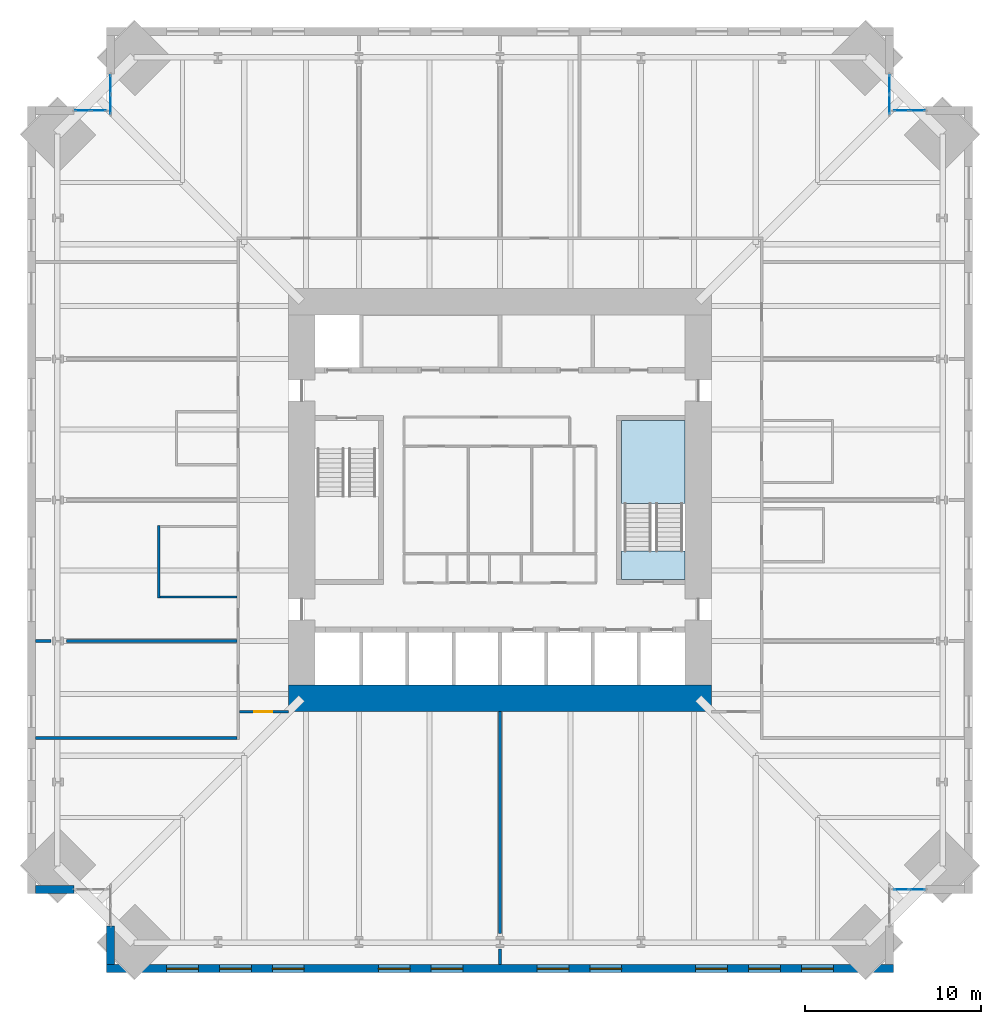
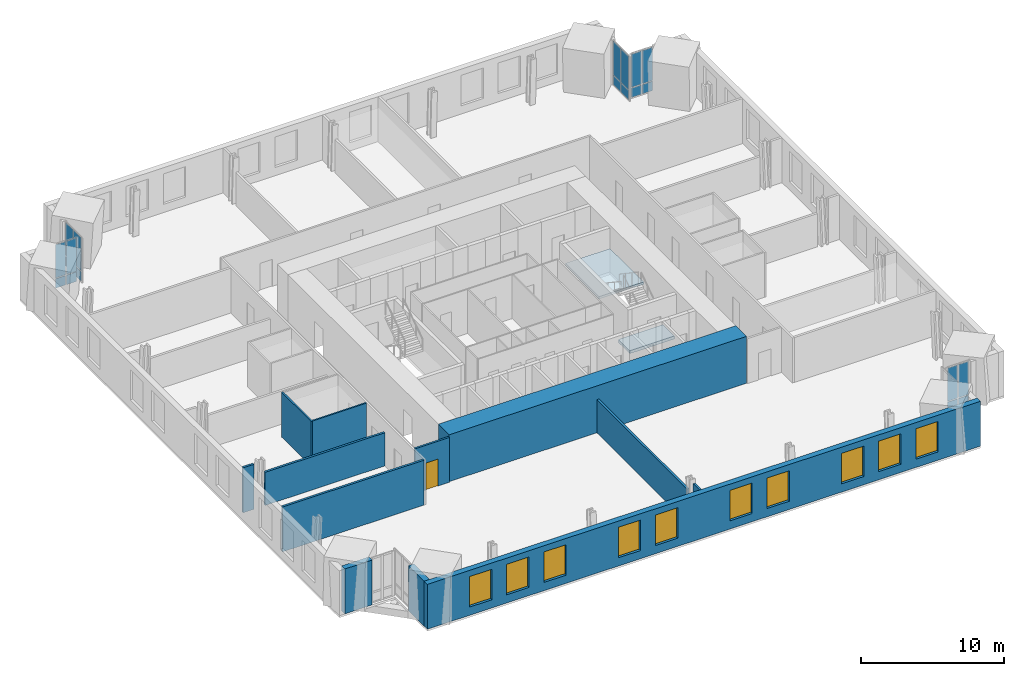
# One storey, part 11 of 17: 20 plates, 12 walls, 10 windows, 2 slabs, 1 door, 11 openings, 6 elements without a shape of their own.
"""IFC4 building model written with IfcOpenShell, lengths in metres."""

from ifc_helpers import new_model, si_unit, direction, frame, frame_2d, origin, origin_2d, place, context, subcontext, project, spatial, polyline, rectangle, outline, extrude, material, layer, layer_set, type_object, element, fill, aggregate, save


model = new_model("IFC4")

# Units and contexts
model_context = context("Model", 3, precision=1e-05, world=origin(), true_north=direction((0.0, 1.0)))
body_context = subcontext(model_context, "Body", "Model", "MODEL_VIEW")
ifc_project = project(units=[si_unit("LENGTHUNIT", "METRE"), si_unit("AREAUNIT", "SQUARE_METRE"), si_unit("VOLUMEUNIT", "CUBIC_METRE"), si_unit("PLANEANGLEUNIT", "RADIAN"), si_unit("MASSUNIT", "GRAM", prefix="KILO")], contexts=[model_context])

# Site, building, storey
site_placement = place(None, origin())
site = spatial("IfcSite", under=ifc_project, at=site_placement, CompositionType="ELEMENT")
building_placement = place(site_placement, origin())
building = spatial("IfcBuilding", under=site, at=building_placement, Name="Peilmerk Tower", CompositionType="ELEMENT")
storey_placement = place(building_placement, frame((0.0, 0.0, 143.800048828125)))
storey = spatial("IfcBuildingStorey", under=building, at=storey_placement, Name="L29", CompositionType="ELEMENT", Elevation=143.800048828125)

# Curtain wall, plates
ifc_material_1 = material(Name="Aluminium stick curtain wall", Category="aluminium")
curtain_wall_type = type_object("IfcCurtainWallType", Name="CW3 stick curtain wall, 2250 module", PredefinedType="NOTDEFINED", material=ifc_material_1)
curtain_wall_1_placement = place(storey_placement, origin())
curtain_wall_1 = element("IfcCurtainWall", 1, at=curtain_wall_1_placement, inside=storey, type_object=curtain_wall_type, Name="Curtain wall CW3 NEA L29", PredefinedType="NOTDEFINED")
ifc_material_2 = material(Name="Clear insulated glazing unit", Category="glass")
ifc_layer_1 = layer(ifc_material_2, 0.028076171875)
ifc_layer_set_1 = layer_set([ifc_layer_1], Name="Clear insulated glazing unit")
plate_type = type_object("IfcPlateType", Name="CW3-P 28 glazed panel", PredefinedType="CURTAIN_PANEL", material=ifc_layer_set_1)
plate_1_placement = place(storey_placement, frame((22.074951171875, 22.4384765625, 0.06494140625), z_axis=(0.0, 0.0, 1.0), x_axis=(0.0, 1.0, 0.0)))
plate_1 = element("IfcPlate", 2, at=plate_1_placement, type_object=plate_type, Name="CW3 panel 1.1", PredefinedType="CURTAIN_PANEL", context=body_context, shape_type="SweptSolid", body=[
    extrude(rectangle(XDim=1.046875, YDim=0.028076171875, at=origin_2d()), origin(), (0.0, 0.0, 1.0), 0.802490234375),
])
plate_2_placement = place(storey_placement, frame((22.074951171875, 22.4384765625, 0.932373046875), z_axis=(0.0, 0.0, 1.0), x_axis=(0.0, 1.0, 0.0)))
plate_2 = element("IfcPlate", 3, at=plate_2_placement, type_object=plate_type, Name="CW3 panel 1.2", PredefinedType="CURTAIN_PANEL", context=body_context, shape_type="SweptSolid", body=[
    extrude(rectangle(XDim=1.046875, YDim=0.028076171875, at=origin_2d()), origin(), (0.0, 0.0, 1.0), 2.83251953125),
])
plate_3_placement = place(storey_placement, frame((22.074951171875, 23.55029296875, 0.06494140625), z_axis=(0.0, 0.0, 1.0), x_axis=(0.0, 1.0, 0.0)))
plate_3 = element("IfcPlate", 4, at=plate_3_placement, type_object=plate_type, Name="CW3 panel 2.1", PredefinedType="CURTAIN_PANEL", context=body_context, shape_type="SweptSolid", body=[
    extrude(rectangle(XDim=1.046875, YDim=0.028076171875, at=origin_2d()), origin(), (0.0, 0.0, 1.0), 0.802490234375),
])
plate_4_placement = place(storey_placement, frame((22.074951171875, 23.55029296875, 0.932373046875), z_axis=(0.0, 0.0, 1.0), x_axis=(0.0, 1.0, 0.0)))
plate_4 = element("IfcPlate", 5, at=plate_4_placement, type_object=plate_type, Name="CW3 panel 2.2", PredefinedType="CURTAIN_PANEL", context=body_context, shape_type="SweptSolid", body=[
    extrude(rectangle(XDim=1.046875, YDim=0.028076171875, at=origin_2d()), origin(), (0.0, 0.0, 1.0), 2.83251953125),
])
aggregate(curtain_wall_1, [plate_1, plate_2, plate_3, plate_4])

curtain_wall_2_placement = place(storey_placement, origin())
curtain_wall_2 = element("IfcCurtainWall", 6, at=curtain_wall_2_placement, inside=storey, type_object=curtain_wall_type, Name="Curtain wall CW3 NEB L29", PredefinedType="NOTDEFINED")
plate_5_placement = place(storey_placement, frame((22.77587890625, 22.074951171875, 0.06494140625), z_axis=(0.0, 0.0, 1.0), x_axis=(1.0, 0.0, 0.0)))
plate_5 = element("IfcPlate", 7, at=plate_5_placement, type_object=plate_type, Name="CW3 panel 1.1", PredefinedType="CURTAIN_PANEL", context=body_context, shape_type="SweptSolid", body=[
    extrude(rectangle(XDim=0.82177734375, YDim=0.028076171875, at=origin_2d()), origin(), (0.0, 0.0, 1.0), 0.802490234375),
])
plate_6_placement = place(storey_placement, frame((22.77587890625, 22.074951171875, 0.932373046875), z_axis=(0.0, 0.0, 1.0), x_axis=(1.0, 0.0, 0.0)))
plate_6 = element("IfcPlate", 8, at=plate_6_placement, type_object=plate_type, Name="CW3 panel 1.2", PredefinedType="CURTAIN_PANEL", context=body_context, shape_type="SweptSolid", body=[
    extrude(rectangle(XDim=0.82177734375, YDim=0.028076171875, at=origin_2d()), origin(), (0.0, 0.0, 1.0), 2.83251953125),
])
plate_7_placement = place(storey_placement, frame((23.662841796875, 22.074951171875, 0.06494140625), z_axis=(0.0, 0.0, 1.0), x_axis=(1.0, 0.0, 0.0)))
plate_7 = element("IfcPlate", 9, at=plate_7_placement, type_object=plate_type, Name="CW3 panel 2.1", PredefinedType="CURTAIN_PANEL", context=body_context, shape_type="SweptSolid", body=[
    extrude(rectangle(XDim=0.82177734375, YDim=0.028076171875, at=origin_2d()), origin(), (0.0, 0.0, 1.0), 0.802490234375),
])
plate_8_placement = place(storey_placement, frame((23.662841796875, 22.074951171875, 0.932373046875), z_axis=(0.0, 0.0, 1.0), x_axis=(1.0, 0.0, 0.0)))
plate_8 = element("IfcPlate", 10, at=plate_8_placement, type_object=plate_type, Name="CW3 panel 2.2", PredefinedType="CURTAIN_PANEL", context=body_context, shape_type="SweptSolid", body=[
    extrude(rectangle(XDim=0.82177734375, YDim=0.028076171875, at=origin_2d()), origin(), (0.0, 0.0, 1.0), 2.83251953125),
])
aggregate(curtain_wall_2, [plate_5, plate_6, plate_7, plate_8])

curtain_wall_3_placement = place(storey_placement, origin())
curtain_wall_3 = element("IfcCurtainWall", 11, at=curtain_wall_3_placement, inside=storey, type_object=curtain_wall_type, Name="Curtain wall CW3 SEB L29", PredefinedType="NOTDEFINED")
plate_9_placement = place(storey_placement, frame((22.77587890625, -22.074951171875, 0.06494140625), z_axis=(0.0, 0.0, 1.0), x_axis=(1.0, 0.0, 0.0)))
plate_9 = element("IfcPlate", 12, at=plate_9_placement, type_object=plate_type, Name="CW3 panel 1.1", PredefinedType="CURTAIN_PANEL", context=body_context, shape_type="SweptSolid", body=[
    extrude(rectangle(XDim=0.82177734375, YDim=0.028076171875, at=origin_2d()), origin(), (0.0, 0.0, 1.0), 0.802490234375),
])
plate_10_placement = place(storey_placement, frame((22.77587890625, -22.074951171875, 0.932373046875), z_axis=(0.0, 0.0, 1.0), x_axis=(1.0, 0.0, 0.0)))
plate_10 = element("IfcPlate", 13, at=plate_10_placement, type_object=plate_type, Name="CW3 panel 1.2", PredefinedType="CURTAIN_PANEL", context=body_context, shape_type="SweptSolid", body=[
    extrude(rectangle(XDim=0.82177734375, YDim=0.028076171875, at=origin_2d()), origin(), (0.0, 0.0, 1.0), 2.83251953125),
])
plate_11_placement = place(storey_placement, frame((23.662841796875, -22.074951171875, 0.06494140625), z_axis=(0.0, 0.0, 1.0), x_axis=(1.0, 0.0, 0.0)))
plate_11 = element("IfcPlate", 14, at=plate_11_placement, type_object=plate_type, Name="CW3 panel 2.1", PredefinedType="CURTAIN_PANEL", context=body_context, shape_type="SweptSolid", body=[
    extrude(rectangle(XDim=0.82177734375, YDim=0.028076171875, at=origin_2d()), origin(), (0.0, 0.0, 1.0), 0.802490234375),
])
plate_12_placement = place(storey_placement, frame((23.662841796875, -22.074951171875, 0.932373046875), z_axis=(0.0, 0.0, 1.0), x_axis=(1.0, 0.0, 0.0)))
plate_12 = element("IfcPlate", 15, at=plate_12_placement, type_object=plate_type, Name="CW3 panel 2.2", PredefinedType="CURTAIN_PANEL", context=body_context, shape_type="SweptSolid", body=[
    extrude(rectangle(XDim=0.82177734375, YDim=0.028076171875, at=origin_2d()), origin(), (0.0, 0.0, 1.0), 2.83251953125),
])
aggregate(curtain_wall_3, [plate_9, plate_10, plate_11, plate_12])

curtain_wall_4_placement = place(storey_placement, origin())
curtain_wall_4 = element("IfcCurtainWall", 16, at=curtain_wall_4_placement, inside=storey, type_object=curtain_wall_type, Name="Curtain wall CW3 NWA L29", PredefinedType="NOTDEFINED")
plate_13_placement = place(storey_placement, frame((-22.074951171875, 22.4384765625, 0.06494140625), z_axis=(0.0, 0.0, 1.0), x_axis=(0.0, 1.0, 0.0)))
plate_13 = element("IfcPlate", 17, at=plate_13_placement, type_object=plate_type, Name="CW3 panel 1.1", PredefinedType="CURTAIN_PANEL", context=body_context, shape_type="SweptSolid", body=[
    extrude(rectangle(XDim=1.046875, YDim=0.028076171875, at=origin_2d()), origin(), (0.0, 0.0, 1.0), 0.802490234375),
])
plate_14_placement = place(storey_placement, frame((-22.074951171875, 22.4384765625, 0.932373046875), z_axis=(0.0, 0.0, 1.0), x_axis=(0.0, 1.0, 0.0)))
plate_14 = element("IfcPlate", 18, at=plate_14_placement, type_object=plate_type, Name="CW3 panel 1.2", PredefinedType="CURTAIN_PANEL", context=body_context, shape_type="SweptSolid", body=[
    extrude(rectangle(XDim=1.046875, YDim=0.028076171875, at=origin_2d()), origin(), (0.0, 0.0, 1.0), 2.83251953125),
])
plate_15_placement = place(storey_placement, frame((-22.074951171875, 23.55029296875, 0.06494140625), z_axis=(0.0, 0.0, 1.0), x_axis=(0.0, 1.0, 0.0)))
plate_15 = element("IfcPlate", 19, at=plate_15_placement, type_object=plate_type, Name="CW3 panel 2.1", PredefinedType="CURTAIN_PANEL", context=body_context, shape_type="SweptSolid", body=[
    extrude(rectangle(XDim=1.046875, YDim=0.028076171875, at=origin_2d()), origin(), (0.0, 0.0, 1.0), 0.802490234375),
])
plate_16_placement = place(storey_placement, frame((-22.074951171875, 23.55029296875, 0.932373046875), z_axis=(0.0, 0.0, 1.0), x_axis=(0.0, 1.0, 0.0)))
plate_16 = element("IfcPlate", 20, at=plate_16_placement, type_object=plate_type, Name="CW3 panel 2.2", PredefinedType="CURTAIN_PANEL", context=body_context, shape_type="SweptSolid", body=[
    extrude(rectangle(XDim=1.046875, YDim=0.028076171875, at=origin_2d()), origin(), (0.0, 0.0, 1.0), 2.83251953125),
])
aggregate(curtain_wall_4, [plate_13, plate_14, plate_15, plate_16])

curtain_wall_5_placement = place(storey_placement, origin())
curtain_wall_5 = element("IfcCurtainWall", 21, at=curtain_wall_5_placement, inside=storey, type_object=curtain_wall_type, Name="Curtain wall CW3 NWB L29", PredefinedType="NOTDEFINED")
plate_17_placement = place(storey_placement, frame((-22.77587890625, 22.074951171875, 0.06494140625), z_axis=(0.0, 0.0, 1.0), x_axis=(-1.0, 0.0, 0.0)))
plate_17 = element("IfcPlate", 22, at=plate_17_placement, type_object=plate_type, Name="CW3 panel 1.1", PredefinedType="CURTAIN_PANEL", context=body_context, shape_type="SweptSolid", body=[
    extrude(rectangle(XDim=0.82177734375, YDim=0.028076171875, at=origin_2d()), origin(), (0.0, 0.0, 1.0), 0.802490234375),
])
plate_18_placement = place(storey_placement, frame((-22.77587890625, 22.074951171875, 0.932373046875), z_axis=(0.0, 0.0, 1.0), x_axis=(-1.0, 0.0, 0.0)))
plate_18 = element("IfcPlate", 23, at=plate_18_placement, type_object=plate_type, Name="CW3 panel 1.2", PredefinedType="CURTAIN_PANEL", context=body_context, shape_type="SweptSolid", body=[
    extrude(rectangle(XDim=0.82177734375, YDim=0.028076171875, at=origin_2d()), origin(), (0.0, 0.0, 1.0), 2.83251953125),
])
plate_19_placement = place(storey_placement, frame((-23.662841796875, 22.074951171875, 0.06494140625), z_axis=(0.0, 0.0, 1.0), x_axis=(-1.0, 0.0, 0.0)))
plate_19 = element("IfcPlate", 24, at=plate_19_placement, type_object=plate_type, Name="CW3 panel 2.1", PredefinedType="CURTAIN_PANEL", context=body_context, shape_type="SweptSolid", body=[
    extrude(rectangle(XDim=0.82177734375, YDim=0.028076171875, at=origin_2d()), origin(), (0.0, 0.0, 1.0), 0.802490234375),
])
plate_20_placement = place(storey_placement, frame((-23.662841796875, 22.074951171875, 0.932373046875), z_axis=(0.0, 0.0, 1.0), x_axis=(-1.0, 0.0, 0.0)))
plate_20 = element("IfcPlate", 25, at=plate_20_placement, type_object=plate_type, Name="CW3 panel 2.2", PredefinedType="CURTAIN_PANEL", context=body_context, shape_type="SweptSolid", body=[
    extrude(rectangle(XDim=0.82177734375, YDim=0.028076171875, at=origin_2d()), origin(), (0.0, 0.0, 1.0), 2.83251953125),
])
aggregate(curtain_wall_5, [plate_17, plate_18, plate_19, plate_20])

# Stair, slabs
ifc_material_3 = material(Name="Precast concrete C45/55", Category="concrete")
stair_type = type_object("IfcStairType", Name="ST2 22 risers of 181.8", PredefinedType="HALF_TURN_STAIR", material=ifc_material_3)
stair_placement = place(storey_placement, origin())
stair = element("IfcStair", 26, at=stair_placement, inside=storey, type_object=stair_type, Name="Stair 2 L29 to L30", PredefinedType="HALF_TURN_STAIR")
ifc_material_4 = material(Name="Concrete C35/45", Category="concrete")
ifc_layer_2 = layer(ifc_material_4, 0.199951171875)
ifc_layer_set_2 = layer_set([ifc_layer_2], Name="Concrete C35/45")
slab_type_1 = type_object("IfcSlabType", Name="SL1 200 concrete stair landing", PredefinedType="LANDING", material=ifc_layer_set_2)
slab_1_placement = place(storey_placement, frame((0.0, 0.0, 1.800048828125)))
slab_1 = element("IfcSlab", 27, at=slab_1_placement, type_object=slab_type_1, Name="ST2 landing 1", PredefinedType="LANDING", context=body_context, shape_type="SweptSolid", body=[
    extrude(outline(polyline([(6.89990234375, -0.199951171875), (10.5, -0.199951171875), (10.5, 4.5), (6.89990234375, 4.5), (6.89990234375, -0.199951171875)])), origin(), (0.0, 0.0, 1.0), 0.199951171875),
])
ifc_layer_3 = layer(ifc_material_4, 0.25)
ifc_layer_set_3 = layer_set([ifc_layer_3], Name="Concrete C35/45")
slab_type_2 = type_object("IfcSlabType", Name="SL2 250 concrete floor landing", PredefinedType="LANDING", material=ifc_layer_set_3)
slab_2_placement = place(storey_placement, frame((0.0, 0.0, -0.25)))
slab_2 = element("IfcSlab", 28, at=slab_2_placement, type_object=slab_type_2, Name="ST2 floor landing", PredefinedType="LANDING", context=body_context, shape_type="SweptSolid", body=[
    extrude(outline(polyline([(6.89990234375, -4.5), (10.5, -4.5), (10.5, -2.89990234375), (6.89990234375, -2.89990234375), (6.89990234375, -4.5)])), origin(), (0.0, 0.0, 1.0), 0.25),
])
aggregate(stair, [slab_1, slab_2])

# Wall, openings, windows
ifc_material_5 = material(Name="Precast concrete C45/55, board-marked finish", Category="concrete")
ifc_layer_4 = layer(ifc_material_5, 0.449951171875)
ifc_layer_set_4 = layer_set([ifc_layer_4], Name="Precast concrete C45/55, board-marked finish")
wall_type_1 = type_object("IfcWallType", Name="EW1 450 precast concrete facade wall, board-marked", PredefinedType="SOLIDWALL", material=ifc_layer_set_4)
wall_1_placement = place(storey_placement, frame((-22.300048828125, -26.574951171875, 0.0), z_axis=(0.0, 0.0, 1.0), x_axis=(1.0, 0.0, 0.0)))
wall_1 = element("IfcWall", 29, at=wall_1_placement, inside=storey, type_object=wall_type_1, Name="Facade wall S L29", PredefinedType="SOLIDWALL", context=body_context, shape_type="SweptSolid", body=[
    extrude(rectangle(XDim=44.60009765625, YDim=0.449951171875, at=frame_2d((22.300048828125, 0.0))), origin(), (0.0, 0.0, 1.0), 3.829833984375),
])
opening_1_placement = place(wall_1_placement, frame((3.39990234375, 0.0, 0.699951171875)))
opening_1 = element("IfcOpeningElement", 30, at=opening_1_placement, cuts=wall_1, Name="Opening W1", PredefinedType="OPENING", context=body_context, shape_type="SweptSolid", body=[
    extrude(rectangle(XDim=1.800048828125, YDim=2.60009765625, at=frame_2d((0.89990234375, 1.300048828125))), frame((0.0, 0.23486328125, 0.0), z_axis=(0.0, -1.0, 0.0), x_axis=(1.0, 0.0, 0.0)), (0.0, 0.0, 1.0), 0.469970703125),
])
opening_2_placement = place(wall_1_placement, frame((6.39990234375, 0.0, 0.699951171875)))
opening_2 = element("IfcOpeningElement", 31, at=opening_2_placement, cuts=wall_1, Name="Opening W1", PredefinedType="OPENING", context=body_context, shape_type="SweptSolid", body=[
    extrude(rectangle(XDim=1.800048828125, YDim=2.60009765625, at=frame_2d((0.89990234375, 1.300048828125))), frame((0.0, 0.23486328125, 0.0), z_axis=(0.0, -1.0, 0.0), x_axis=(1.0, 0.0, 0.0)), (0.0, 0.0, 1.0), 0.469970703125),
])
opening_3_placement = place(wall_1_placement, frame((9.39990234375, 0.0, 0.699951171875)))
opening_3 = element("IfcOpeningElement", 32, at=opening_3_placement, cuts=wall_1, Name="Opening W1", PredefinedType="OPENING", context=body_context, shape_type="SweptSolid", body=[
    extrude(rectangle(XDim=1.800048828125, YDim=2.60009765625, at=frame_2d((0.89990234375, 1.300048828125))), frame((0.0, 0.23486328125, 0.0), z_axis=(0.0, -1.0, 0.0), x_axis=(1.0, 0.0, 0.0)), (0.0, 0.0, 1.0), 0.469970703125),
])
opening_4_placement = place(wall_1_placement, frame((15.39990234375, 0.0, 0.699951171875)))
opening_4 = element("IfcOpeningElement", 33, at=opening_4_placement, cuts=wall_1, Name="Opening W1", PredefinedType="OPENING", context=body_context, shape_type="SweptSolid", body=[
    extrude(rectangle(XDim=1.800048828125, YDim=2.60009765625, at=frame_2d((0.89990234375, 1.300048828125))), frame((0.0, 0.23486328125, 0.0), z_axis=(0.0, -1.0, 0.0), x_axis=(1.0, 0.0, 0.0)), (0.0, 0.0, 1.0), 0.469970703125),
])
opening_5_placement = place(wall_1_placement, frame((18.39990234375, 0.0, 0.699951171875)))
opening_5 = element("IfcOpeningElement", 34, at=opening_5_placement, cuts=wall_1, Name="Opening W1", PredefinedType="OPENING", context=body_context, shape_type="SweptSolid", body=[
    extrude(rectangle(XDim=1.800048828125, YDim=2.60009765625, at=frame_2d((0.89990234375, 1.300048828125))), frame((0.0, 0.23486328125, 0.0), z_axis=(0.0, -1.0, 0.0), x_axis=(1.0, 0.0, 0.0)), (0.0, 0.0, 1.0), 0.469970703125),
])
opening_6_placement = place(wall_1_placement, frame((24.39990234375, 0.0, 0.699951171875)))
opening_6 = element("IfcOpeningElement", 35, at=opening_6_placement, cuts=wall_1, Name="Opening W1", PredefinedType="OPENING", context=body_context, shape_type="SweptSolid", body=[
    extrude(rectangle(XDim=1.800048828125, YDim=2.60009765625, at=frame_2d((0.89990234375, 1.300048828125))), frame((0.0, 0.23486328125, 0.0), z_axis=(0.0, -1.0, 0.0), x_axis=(1.0, 0.0, 0.0)), (0.0, 0.0, 1.0), 0.469970703125),
])
opening_7_placement = place(wall_1_placement, frame((27.39990234375, 0.0, 0.699951171875)))
opening_7 = element("IfcOpeningElement", 36, at=opening_7_placement, cuts=wall_1, Name="Opening W1", PredefinedType="OPENING", context=body_context, shape_type="SweptSolid", body=[
    extrude(rectangle(XDim=1.800048828125, YDim=2.60009765625, at=frame_2d((0.89990234375, 1.300048828125))), frame((0.0, 0.23486328125, 0.0), z_axis=(0.0, -1.0, 0.0), x_axis=(1.0, 0.0, 0.0)), (0.0, 0.0, 1.0), 0.469970703125),
])
opening_8_placement = place(wall_1_placement, frame((33.39990234375, 0.0, 0.699951171875)))
opening_8 = element("IfcOpeningElement", 37, at=opening_8_placement, cuts=wall_1, Name="Opening W1", PredefinedType="OPENING", context=body_context, shape_type="SweptSolid", body=[
    extrude(rectangle(XDim=1.800048828125, YDim=2.60009765625, at=frame_2d((0.89990234375, 1.300048828125))), frame((0.0, 0.23486328125, 0.0), z_axis=(0.0, -1.0, 0.0), x_axis=(1.0, 0.0, 0.0)), (0.0, 0.0, 1.0), 0.469970703125),
])
opening_9_placement = place(wall_1_placement, frame((36.39990234375, 0.0, 0.699951171875)))
opening_9 = element("IfcOpeningElement", 38, at=opening_9_placement, cuts=wall_1, Name="Opening W1", PredefinedType="OPENING", context=body_context, shape_type="SweptSolid", body=[
    extrude(rectangle(XDim=1.800048828125, YDim=2.60009765625, at=frame_2d((0.89990234375, 1.300048828125))), frame((0.0, 0.23486328125, 0.0), z_axis=(0.0, -1.0, 0.0), x_axis=(1.0, 0.0, 0.0)), (0.0, 0.0, 1.0), 0.469970703125),
])
opening_10_placement = place(wall_1_placement, frame((39.39990234375, 0.0, 0.699951171875)))
opening_10 = element("IfcOpeningElement", 39, at=opening_10_placement, cuts=wall_1, Name="Opening W1", PredefinedType="OPENING", context=body_context, shape_type="SweptSolid", body=[
    extrude(rectangle(XDim=1.800048828125, YDim=2.60009765625, at=frame_2d((0.89990234375, 1.300048828125))), frame((0.0, 0.23486328125, 0.0), z_axis=(0.0, -1.0, 0.0), x_axis=(1.0, 0.0, 0.0)), (0.0, 0.0, 1.0), 0.469970703125),
])
ifc_material_6 = material(Name="Aluminium frame, clear double glazing", Category="aluminium")
window_type = type_object("IfcWindowType", Name="W1 1800x2600 office window", PartitioningType="SINGLE_PANEL", PredefinedType="WINDOW", material=ifc_material_6)
window_1_placement = place(opening_1_placement, origin())
window_1 = element("IfcWindow", 40, at=window_1_placement, inside=storey, type_object=window_type, Name="Window W1 L29", OverallHeight=2.60009765625, OverallWidth=1.800048828125, PartitioningType="SINGLE_PANEL", PredefinedType="WINDOW", context=body_context, shape_type="SweptSolid", body=[
    extrude(rectangle(XDim=1.800048828125, YDim=2.60009765625, at=frame_2d((0.89990234375, 1.300048828125))), frame((0.0, 0.030029296875, 0.0), z_axis=(0.0, -1.0, 0.0), x_axis=(1.0, 0.0, 0.0)), (0.0, 0.0, 1.0), 0.06005859375),
])
fill(opening_1, window_1)
window_2_placement = place(opening_2_placement, origin())
window_2 = element("IfcWindow", 41, at=window_2_placement, inside=storey, type_object=window_type, Name="Window W1 L29", OverallHeight=2.60009765625, OverallWidth=1.800048828125, PartitioningType="SINGLE_PANEL", PredefinedType="WINDOW", context=body_context, shape_type="SweptSolid", body=[
    extrude(rectangle(XDim=1.800048828125, YDim=2.60009765625, at=frame_2d((0.89990234375, 1.300048828125))), frame((0.0, 0.030029296875, 0.0), z_axis=(0.0, -1.0, 0.0), x_axis=(1.0, 0.0, 0.0)), (0.0, 0.0, 1.0), 0.06005859375),
])
fill(opening_2, window_2)
window_3_placement = place(opening_3_placement, origin())
window_3 = element("IfcWindow", 42, at=window_3_placement, inside=storey, type_object=window_type, Name="Window W1 L29", OverallHeight=2.60009765625, OverallWidth=1.800048828125, PartitioningType="SINGLE_PANEL", PredefinedType="WINDOW", context=body_context, shape_type="SweptSolid", body=[
    extrude(rectangle(XDim=1.800048828125, YDim=2.60009765625, at=frame_2d((0.89990234375, 1.300048828125))), frame((0.0, 0.030029296875, 0.0), z_axis=(0.0, -1.0, 0.0), x_axis=(1.0, 0.0, 0.0)), (0.0, 0.0, 1.0), 0.06005859375),
])
fill(opening_3, window_3)
window_4_placement = place(opening_4_placement, origin())
window_4 = element("IfcWindow", 43, at=window_4_placement, inside=storey, type_object=window_type, Name="Window W1 L29", OverallHeight=2.60009765625, OverallWidth=1.800048828125, PartitioningType="SINGLE_PANEL", PredefinedType="WINDOW", context=body_context, shape_type="SweptSolid", body=[
    extrude(rectangle(XDim=1.800048828125, YDim=2.60009765625, at=frame_2d((0.89990234375, 1.300048828125))), frame((0.0, 0.030029296875, 0.0), z_axis=(0.0, -1.0, 0.0), x_axis=(1.0, 0.0, 0.0)), (0.0, 0.0, 1.0), 0.06005859375),
])
fill(opening_4, window_4)
window_5_placement = place(opening_5_placement, origin())
window_5 = element("IfcWindow", 44, at=window_5_placement, inside=storey, type_object=window_type, Name="Window W1 L29", OverallHeight=2.60009765625, OverallWidth=1.800048828125, PartitioningType="SINGLE_PANEL", PredefinedType="WINDOW", context=body_context, shape_type="SweptSolid", body=[
    extrude(rectangle(XDim=1.800048828125, YDim=2.60009765625, at=frame_2d((0.89990234375, 1.300048828125))), frame((0.0, 0.030029296875, 0.0), z_axis=(0.0, -1.0, 0.0), x_axis=(1.0, 0.0, 0.0)), (0.0, 0.0, 1.0), 0.06005859375),
])
fill(opening_5, window_5)
window_6_placement = place(opening_6_placement, origin())
window_6 = element("IfcWindow", 45, at=window_6_placement, inside=storey, type_object=window_type, Name="Window W1 L29", OverallHeight=2.60009765625, OverallWidth=1.800048828125, PartitioningType="SINGLE_PANEL", PredefinedType="WINDOW", context=body_context, shape_type="SweptSolid", body=[
    extrude(rectangle(XDim=1.800048828125, YDim=2.60009765625, at=frame_2d((0.89990234375, 1.300048828125))), frame((0.0, 0.030029296875, 0.0), z_axis=(0.0, -1.0, 0.0), x_axis=(1.0, 0.0, 0.0)), (0.0, 0.0, 1.0), 0.06005859375),
])
fill(opening_6, window_6)
window_7_placement = place(opening_7_placement, origin())
window_7 = element("IfcWindow", 46, at=window_7_placement, inside=storey, type_object=window_type, Name="Window W1 L29", OverallHeight=2.60009765625, OverallWidth=1.800048828125, PartitioningType="SINGLE_PANEL", PredefinedType="WINDOW", context=body_context, shape_type="SweptSolid", body=[
    extrude(rectangle(XDim=1.800048828125, YDim=2.60009765625, at=frame_2d((0.89990234375, 1.300048828125))), frame((0.0, 0.030029296875, 0.0), z_axis=(0.0, -1.0, 0.0), x_axis=(1.0, 0.0, 0.0)), (0.0, 0.0, 1.0), 0.06005859375),
])
fill(opening_7, window_7)
window_8_placement = place(opening_8_placement, origin())
window_8 = element("IfcWindow", 47, at=window_8_placement, inside=storey, type_object=window_type, Name="Window W1 L29", OverallHeight=2.60009765625, OverallWidth=1.800048828125, PartitioningType="SINGLE_PANEL", PredefinedType="WINDOW", context=body_context, shape_type="SweptSolid", body=[
    extrude(rectangle(XDim=1.800048828125, YDim=2.60009765625, at=frame_2d((0.89990234375, 1.300048828125))), frame((0.0, 0.030029296875, 0.0), z_axis=(0.0, -1.0, 0.0), x_axis=(1.0, 0.0, 0.0)), (0.0, 0.0, 1.0), 0.06005859375),
])
fill(opening_8, window_8)
window_9_placement = place(opening_9_placement, origin())
window_9 = element("IfcWindow", 48, at=window_9_placement, inside=storey, type_object=window_type, Name="Window W1 L29", OverallHeight=2.60009765625, OverallWidth=1.800048828125, PartitioningType="SINGLE_PANEL", PredefinedType="WINDOW", context=body_context, shape_type="SweptSolid", body=[
    extrude(rectangle(XDim=1.800048828125, YDim=2.60009765625, at=frame_2d((0.89990234375, 1.300048828125))), frame((0.0, 0.030029296875, 0.0), z_axis=(0.0, -1.0, 0.0), x_axis=(1.0, 0.0, 0.0)), (0.0, 0.0, 1.0), 0.06005859375),
])
fill(opening_9, window_9)
window_10_placement = place(opening_10_placement, origin())
window_10 = element("IfcWindow", 49, at=window_10_placement, inside=storey, type_object=window_type, Name="Window W1 L29", OverallHeight=2.60009765625, OverallWidth=1.800048828125, PartitioningType="SINGLE_PANEL", PredefinedType="WINDOW", context=body_context, shape_type="SweptSolid", body=[
    extrude(rectangle(XDim=1.800048828125, YDim=2.60009765625, at=frame_2d((0.89990234375, 1.300048828125))), frame((0.0, 0.030029296875, 0.0), z_axis=(0.0, -1.0, 0.0), x_axis=(1.0, 0.0, 0.0)), (0.0, 0.0, 1.0), 0.06005859375),
])
fill(opening_10, window_10)

# Walls
for number, where, z_axis, x_axis, name in (
    (50, (-22.074951171875, -24.153564453125, 0.0), (0.0, 0.0, 1.0), (0.0, -1.0, 0.0), "Facade wall SWA L29"),
    (51, (-24.153564453125, -22.074951171875, 0.0), (0.0, 0.0, 1.0), (-1.0, 0.0, 0.0), "Facade wall SWB L29"),
):
    element("IfcWall", number, at=place(storey_placement, frame(where, z_axis=z_axis, x_axis=x_axis)), inside=storey, type_object=wall_type_1, Name=name, PredefinedType="SOLIDWALL", context=body_context, shape_type="SweptSolid", body=[
        extrude(rectangle(XDim=2.196533203125, YDim=0.449951171875, at=frame_2d((1.09814453125, 0.0))), origin(), (0.0, 0.0, 1.0), 3.829833984375),
    ])

# Wall, opening, door
ifc_material_7 = material(Name="Calcium silicate block", Category="masonry")
ifc_layer_5 = layer(ifc_material_7, 0.14990234375)
ifc_layer_set_5 = layer_set([ifc_layer_5], Name="Calcium silicate block")
wall_type_2 = type_object("IfcWallType", Name="IW1 150 corridor partition, EI 60", PredefinedType="PARTITIONING", material=ifc_layer_set_5)
wall_2_placement = place(storey_placement, frame((-12.0, -12.0, 0.0), z_axis=(0.0, 0.0, 1.0), x_axis=(-1.0, 0.0, 0.0)))
wall_2 = element("IfcWall", 52, at=wall_2_placement, inside=storey, type_object=wall_type_2, Name="Corridor wall SW L29", PredefinedType="PARTITIONING", context=body_context, shape_type="SweptSolid", body=[
    extrude(rectangle(XDim=2.77490234375, YDim=0.14990234375, at=frame_2d((1.387451171875, 0.0))), origin(), (0.0, 0.0, 1.0), 3.829833984375),
])
opening_11_placement = place(wall_2_placement, frame((0.925048828125, 0.0, 0.0)))
opening_11 = element("IfcOpeningElement", 53, at=opening_11_placement, cuts=wall_2, Name="Opening D1", PredefinedType="OPENING", context=body_context, shape_type="SweptSolid", body=[
    extrude(rectangle(XDim=1.0, YDim=2.300048828125, at=frame_2d((0.5, 1.14990234375))), frame((0.0, 0.0849609375, 0.0), z_axis=(0.0, -1.0, 0.0), x_axis=(1.0, 0.0, 0.0)), (0.0, 0.0, 1.0), 0.169921875),
])
ifc_material_8 = material(Name="Timber door in steel frame", Category="steel")
door_type = type_object("IfcDoorType", Name="D1 1000x2300 room door, EI2 30", OperationType="SINGLE_SWING_LEFT", PredefinedType="DOOR", material=ifc_material_8)
door_placement = place(opening_11_placement, origin())
door = element("IfcDoor", 54, at=door_placement, inside=storey, type_object=door_type, Name="Door Team workspace L29", OperationType="SINGLE_SWING_LEFT", OverallHeight=2.300048828125, OverallWidth=1.0, PredefinedType="DOOR", context=body_context, shape_type="SweptSolid", body=[
    extrude(rectangle(XDim=1.0, YDim=2.300048828125, at=frame_2d((0.5, 1.14990234375))), frame((0.0, 0.02490234375, 0.0), z_axis=(0.0, -1.0, 0.0), x_axis=(1.0, 0.0, 0.0)), (0.0, 0.0, 1.0), 0.050048828125),
])
fill(opening_11, door)

# Walls
ifc_material_9 = material(Name="Plasterboard on steel studs, double boarded with mineral wool", Category="steel")
ifc_layer_6 = layer(ifc_material_9, 0.125)
ifc_layer_set_6 = layer_set([ifc_layer_6], Name="Plasterboard on steel studs, double boarded with mineral wool")
wall_type_3 = type_object("IfcWallType", Name="IW7 125 acoustic partition, EI 30", PredefinedType="PARTITIONING", material=ifc_layer_set_6)
wall_3_placement = place(storey_placement, frame((-19.35009765625, -5.5625, 0.0), z_axis=(0.0, 0.0, 1.0), x_axis=(0.0, 1.0, 0.0)))
element("IfcWall", 55, at=wall_3_placement, inside=storey, type_object=wall_type_3, Name="Acoustic partition Meeting room L29", PredefinedType="PARTITIONING", context=body_context, shape_type="SweptSolid", body=[
    extrude(rectangle(XDim=4.125, YDim=0.125, at=frame_2d((2.0625, 0.0))), origin(), (0.0, 0.0, 1.0), 3.829833984375),
])
wall_4_placement = place(storey_placement, frame((-14.925048828125, -5.5, 0.0), z_axis=(0.0, 0.0, 1.0), x_axis=(-1.0, 0.0, 0.0)))
element("IfcWall", 56, at=wall_4_placement, inside=storey, type_object=wall_type_3, Name="Acoustic partition Meeting room L29", PredefinedType="PARTITIONING", context=body_context, shape_type="SweptSolid", body=[
    extrude(rectangle(XDim=4.362548828125, YDim=0.125, at=frame_2d((2.18115234375, 0.0))), origin(), (0.0, 0.0, 1.0), 3.829833984375),
])
ifc_layer_7 = layer(ifc_material_7, 0.175048828125)
ifc_layer_set_7 = layer_set([ifc_layer_7], Name="Calcium silicate block")
wall_type_4 = type_object("IfcWallType", Name="IW8 175 tenant separating wall, EI 60", PredefinedType="PARTITIONING", material=ifc_layer_set_7)
wall_5_placement = place(storey_placement, frame((-14.925048828125, -13.5, 0.0), z_axis=(0.0, 0.0, 1.0), x_axis=(-1.0, 0.0, 0.0)))
element("IfcWall", 57, at=wall_5_placement, inside=storey, type_object=wall_type_4, Name="Tenant separating wall SW L29", PredefinedType="PARTITIONING", context=body_context, shape_type="SweptSolid", body=[
    extrude(rectangle(XDim=11.425048828125, YDim=0.175048828125, at=frame_2d((5.71240234375, 0.0))), origin(), (0.0, 0.0, 1.0), 3.829833984375),
])
wall_6_placement = place(storey_placement, frame((0.0, -12.0, 0.0), z_axis=(0.0, 0.0, 1.0), x_axis=(0.0, -1.0, 0.0)))
element("IfcWall", 58, at=wall_6_placement, inside=storey, type_object=wall_type_4, Name="Tenant separating wall S1 L29", PredefinedType="PARTITIONING", context=body_context, shape_type="SweptSolid", body=[
    extrude(rectangle(XDim=12.5732421875, YDim=0.175048828125, at=frame_2d((6.28662109375, 0.0))), origin(), (0.0, 0.0, 1.0), 2.829833984375),
])
wall_7_placement = place(storey_placement, frame((0.0, -25.46240234375, 0.0), z_axis=(0.0, 0.0, 1.0), x_axis=(0.0, -1.0, 0.0)))
element("IfcWall", 59, at=wall_7_placement, inside=storey, type_object=wall_type_4, Name="Tenant separating wall S1b L29", PredefinedType="PARTITIONING", context=body_context, shape_type="SweptSolid", body=[
    extrude(rectangle(XDim=0.8876953125, YDim=0.175048828125, at=frame_2d((0.44384765625, 0.0))), origin(), (0.0, 0.0, 1.0), 3.829833984375),
])
wall_8_placement = place(storey_placement, frame((-14.925048828125, -8.0, 0.0), z_axis=(0.0, 0.0, 1.0), x_axis=(-1.0, 0.0, 0.0)))
element("IfcWall", 60, at=wall_8_placement, inside=storey, type_object=wall_type_4, Name="Tenant separating wall W1 L29", PredefinedType="PARTITIONING", context=body_context, shape_type="SweptSolid", body=[
    extrude(rectangle(XDim=9.648193359375, YDim=0.175048828125, at=frame_2d((4.82421875, 0.0))), origin(), (0.0, 0.0, 1.0), 2.829833984375),
])
wall_9_placement = place(storey_placement, frame((-25.46240234375, -8.0, 0.0), z_axis=(0.0, 0.0, 1.0), x_axis=(-1.0, 0.0, 0.0)))
element("IfcWall", 61, at=wall_9_placement, inside=storey, type_object=wall_type_4, Name="Tenant separating wall W1b L29", PredefinedType="PARTITIONING", context=body_context, shape_type="SweptSolid", body=[
    extrude(rectangle(XDim=0.8876953125, YDim=0.175048828125, at=frame_2d((0.44384765625, 0.0))), origin(), (0.0, 0.0, 1.0), 3.829833984375),
])
ifc_material_10 = material(Name="Concrete C55/67", Category="concrete")
ifc_layer_8 = layer(ifc_material_10, 1.5)
ifc_layer_set_8 = layer_set([ifc_layer_8], Name="Concrete C55/67")
wall_type_5 = type_object("IfcWallType", Name="SW1 1500 core wall", PredefinedType="SHEAR", material=ifc_layer_set_8)
wall_10_placement = place(storey_placement, frame((12.0, -11.25, 0.0), z_axis=(0.0, 0.0, 1.0), x_axis=(-1.0, 0.0, 0.0)))
element("IfcWall", 62, at=wall_10_placement, inside=storey, type_object=wall_type_5, Name="Core wall S L29", PredefinedType="SHEAR", context=body_context, shape_type="SweptSolid", body=[
    extrude(rectangle(XDim=24.0, YDim=1.5, at=frame_2d((12.0, 0.0))), origin(), (0.0, 0.0, 1.0), 4.0),
])

save(model, "model.ifc")
